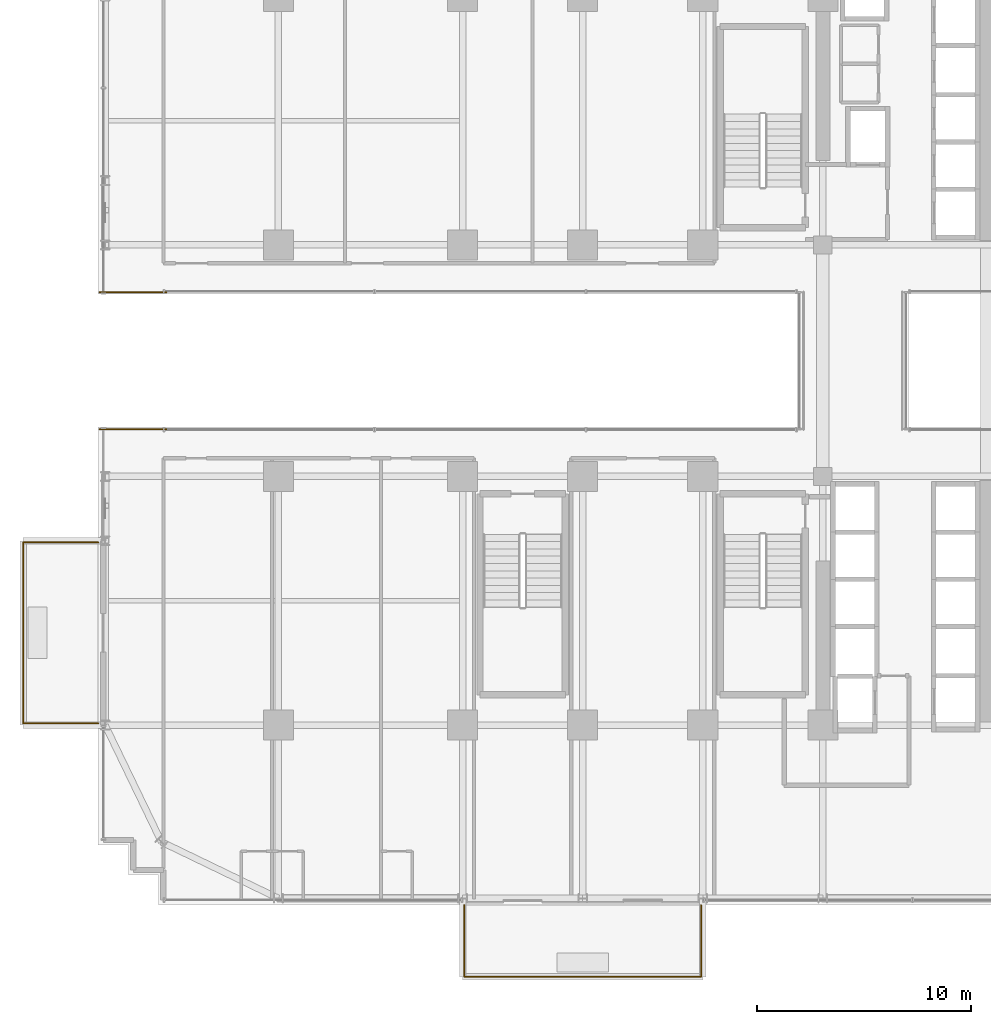
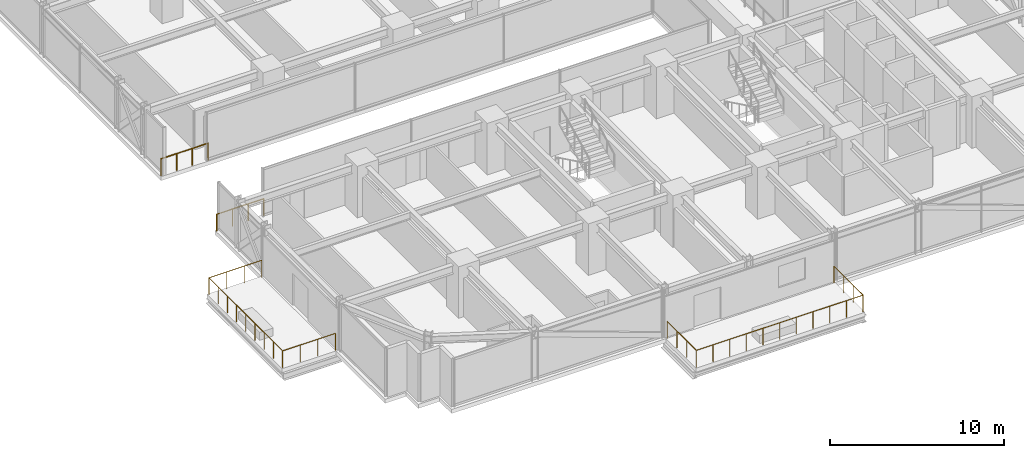
# One storey, part 35 of 38: 4 railings.
"""IFC4 building model written with IfcOpenShell, lengths in metres."""

from ifc_helpers import new_model, si_unit, direction, frame, origin, origin_2d, place, context, subcontext, project, spatial, circle, extrude, material, type_object, element, save


model = new_model("IFC4")

# Units and contexts
model_context = context("Model", 3, precision=1e-05, world=origin(), true_north=direction((0.0, 1.0)))
body_context = subcontext(model_context, "Body", "Model", "MODEL_VIEW")
ifc_project = project(units=[si_unit("LENGTHUNIT", "METRE"), si_unit("AREAUNIT", "SQUARE_METRE"), si_unit("VOLUMEUNIT", "CUBIC_METRE"), si_unit("PLANEANGLEUNIT", "RADIAN"), si_unit("MASSUNIT", "GRAM", prefix="KILO")], contexts=[model_context])

# Site, building, storey
site_placement = place(None, origin())
site = spatial("IfcSite", under=ifc_project, at=site_placement, CompositionType="ELEMENT")
building_placement = place(site_placement, origin())
building = spatial("IfcBuilding", under=site, at=building_placement, Name="Nahalor Promenade Grand Hotel", CompositionType="ELEMENT")
storey_placement = place(building_placement, frame((0.0, 0.0, 50.64990234375)))
storey = spatial("IfcBuildingStorey", under=building, at=storey_placement, Name="L11", CompositionType="ELEMENT", Elevation=50.64990234375)

# Railings
ifc_material = material(Name="Anodised Bronze Aluminium EN AW-6063 T6", Category="aluminium")
railing_type = type_object("IfcRailingType", Name="Bronze Balcony Guardrail 1200 mm", PredefinedType="GUARDRAIL", material=ifc_material)
for number, where, name in (
    (1, (-25.340087890625, -3.199951171875, 0.0), "L11 Oculus Void Edge Guardrail WS"),
    (2, (-25.340087890625, 3.199951171875, 0.0), "L11 Oculus Void Edge Guardrail WN"),
):
    element("IfcRailing", number, at=place(storey_placement, frame(where)), inside=storey, type_object=railing_type, Name=name, PredefinedType="GUARDRAIL", context=body_context, shape_type="SweptSolid", body=[
        extrude(circle(Radius=0.024048, at=origin_2d()), frame((0.0, 0.0, 1.17578125), z_axis=(1.0, 0.0, 0.0), x_axis=(0.0, 1.0, 0.0)), (0.0, 0.0, 1.0), 3.1201171875),
        extrude(circle(Radius=0.020996, at=origin_2d()), origin(), (0.0, 0.0, 1.0), 1.14990234375),
        extrude(circle(Radius=0.020996, at=origin_2d()), frame((1.0400390625, 0.0, 0.0)), (0.0, 0.0, 1.0), 1.14990234375),
        extrude(circle(Radius=0.020996, at=origin_2d()), frame((2.080078125, 0.0, 0.0)), (0.0, 0.0, 1.0), 1.14990234375),
        extrude(circle(Radius=0.020996, at=origin_2d()), frame((3.1201171875, 0.0, 0.0)), (0.0, 0.0, 1.0), 1.14990234375),
    ])
railing_1_placement = place(storey_placement, frame((-8.320068359375, -25.39990234375, 0.0)))
element("IfcRailing", 3, at=railing_1_placement, inside=storey, type_object=railing_type, Name="L11 Balcony Guardrail 1", PredefinedType="GUARDRAIL", context=body_context, shape_type="SweptSolid", body=[
    extrude(circle(Radius=0.024048, at=origin_2d()), frame((0.0, 0.0, 1.17578125), z_axis=(0.0, -1.0, 0.0), x_axis=(1.0, 0.0, 0.0)), (0.0, 0.0, 1.0), 3.338134765625),
    extrude(circle(Radius=0.024048, at=origin_2d()), frame((0.001953125, -3.340087890625, 1.17578125), z_axis=(1.0, 0.0, 0.0), x_axis=(0.0, 1.0, 0.0)), (0.0, 0.0, 1.0), 11.0361328125),
    extrude(circle(Radius=0.024048, at=origin_2d()), frame((11.0400390625, -3.338134765625, 1.17578125), z_axis=(0.0, 1.0, 0.0), x_axis=(-1.0, 0.0, 0.0)), (0.0, 0.0, 1.0), 3.338134765625),
    extrude(circle(Radius=0.020996, at=origin_2d()), origin(), (0.0, 0.0, 1.0), 1.14990234375),
    extrude(circle(Radius=0.020996, at=origin_2d()), frame((0.0, -1.11328125, 0.0)), (0.0, 0.0, 1.0), 1.14990234375),
    extrude(circle(Radius=0.020996, at=origin_2d()), frame((0.0, -2.226806640625, 0.0)), (0.0, 0.0, 1.0), 1.14990234375),
    extrude(circle(Radius=0.020996, at=origin_2d()), frame((0.0, -3.340087890625, 0.0)), (0.0, 0.0, 1.0), 1.14990234375),
    extrude(circle(Radius=0.020996, at=origin_2d()), frame((1.10400390625, -3.340087890625, 0.0)), (0.0, 0.0, 1.0), 1.14990234375),
    extrude(circle(Radius=0.020996, at=origin_2d()), frame((2.2080078125, -3.340087890625, 0.0)), (0.0, 0.0, 1.0), 1.14990234375),
    extrude(circle(Radius=0.020996, at=origin_2d()), frame((3.31201171875, -3.340087890625, 0.0)), (0.0, 0.0, 1.0), 1.14990234375),
    extrude(circle(Radius=0.020996, at=origin_2d()), frame((4.416015625, -3.340087890625, 0.0)), (0.0, 0.0, 1.0), 1.14990234375),
    extrude(circle(Radius=0.020996, at=origin_2d()), frame((5.52001953125, -3.340087890625, 0.0)), (0.0, 0.0, 1.0), 1.14990234375),
    extrude(circle(Radius=0.020996, at=origin_2d()), frame((6.6240234375, -3.340087890625, 0.0)), (0.0, 0.0, 1.0), 1.14990234375),
    extrude(circle(Radius=0.020996, at=origin_2d()), frame((7.72802734375, -3.340087890625, 0.0)), (0.0, 0.0, 1.0), 1.14990234375),
    extrude(circle(Radius=0.020996, at=origin_2d()), frame((8.83203125, -3.340087890625, 0.0)), (0.0, 0.0, 1.0), 1.14990234375),
    extrude(circle(Radius=0.020996, at=origin_2d()), frame((9.93603515625, -3.340087890625, 0.0)), (0.0, 0.0, 1.0), 1.14990234375),
    extrude(circle(Radius=0.020996, at=origin_2d()), frame((11.0400390625, -3.340087890625, 0.0)), (0.0, 0.0, 1.0), 1.14990234375),
    extrude(circle(Radius=0.020996, at=origin_2d()), frame((11.0400390625, -2.226806640625, 0.0)), (0.0, 0.0, 1.0), 1.14990234375),
    extrude(circle(Radius=0.020996, at=origin_2d()), frame((11.0400390625, -1.11328125, 0.0)), (0.0, 0.0, 1.0), 1.14990234375),
    extrude(circle(Radius=0.020996, at=origin_2d()), frame((11.0400390625, 0.0, 0.0)), (0.0, 0.0, 1.0), 1.14990234375),
])
railing_2_placement = place(storey_placement, frame((-25.39990234375, -16.919921875, 0.0)))
element("IfcRailing", 4, at=railing_2_placement, inside=storey, type_object=railing_type, Name="L11 Balcony Guardrail 2", PredefinedType="GUARDRAIL", context=body_context, shape_type="SweptSolid", body=[
    extrude(circle(Radius=0.024048, at=origin_2d()), frame((0.0, 0.0, 1.17578125), z_axis=(-1.0, 0.0, 0.0), x_axis=(0.0, -1.0, 0.0)), (0.0, 0.0, 1.0), 3.498046875),
    extrude(circle(Radius=0.024048, at=origin_2d()), frame((-3.5, 0.001953125, 1.17578125), z_axis=(0.0, 1.0, 0.0), x_axis=(-1.0, 0.0, 0.0)), (0.0, 0.0, 1.0), 8.43603515625),
    extrude(circle(Radius=0.024048, at=origin_2d()), frame((-3.498046875, 8.43994140625, 1.17578125), z_axis=(1.0, 0.0, 0.0), x_axis=(0.0, 1.0, 0.0)), (0.0, 0.0, 1.0), 3.498046875),
    extrude(circle(Radius=0.020996, at=origin_2d()), origin(), (0.0, 0.0, 1.0), 1.14990234375),
    extrude(circle(Radius=0.020996, at=origin_2d()), frame((-1.166748046875, 0.0, 0.0)), (0.0, 0.0, 1.0), 1.14990234375),
    extrude(circle(Radius=0.020996, at=origin_2d()), frame((-2.333251953125, 0.0, 0.0)), (0.0, 0.0, 1.0), 1.14990234375),
    extrude(circle(Radius=0.020996, at=origin_2d()), frame((-3.5, 0.0, 0.0)), (0.0, 0.0, 1.0), 1.14990234375),
    extrude(circle(Radius=0.020996, at=origin_2d()), frame((-3.5, 1.054931640625, 0.0)), (0.0, 0.0, 1.0), 1.14990234375),
    extrude(circle(Radius=0.020996, at=origin_2d()), frame((-3.5, 2.10986328125, 0.0)), (0.0, 0.0, 1.0), 1.14990234375),
    extrude(circle(Radius=0.020996, at=origin_2d()), frame((-3.5, 3.1650390625, 0.0)), (0.0, 0.0, 1.0), 1.14990234375),
    extrude(circle(Radius=0.020996, at=origin_2d()), frame((-3.5, 4.219970703125, 0.0)), (0.0, 0.0, 1.0), 1.14990234375),
    extrude(circle(Radius=0.020996, at=origin_2d()), frame((-3.5, 5.27490234375, 0.0)), (0.0, 0.0, 1.0), 1.14990234375),
    extrude(circle(Radius=0.020996, at=origin_2d()), frame((-3.5, 6.330078125, 0.0)), (0.0, 0.0, 1.0), 1.14990234375),
    extrude(circle(Radius=0.020996, at=origin_2d()), frame((-3.5, 7.385009765625, 0.0)), (0.0, 0.0, 1.0), 1.14990234375),
    extrude(circle(Radius=0.020996, at=origin_2d()), frame((-3.5, 8.43994140625, 0.0)), (0.0, 0.0, 1.0), 1.14990234375),
    extrude(circle(Radius=0.020996, at=origin_2d()), frame((-2.333251953125, 8.43994140625, 0.0)), (0.0, 0.0, 1.0), 1.14990234375),
    extrude(circle(Radius=0.020996, at=origin_2d()), frame((-1.166748046875, 8.43994140625, 0.0)), (0.0, 0.0, 1.0), 1.14990234375),
    extrude(circle(Radius=0.020996, at=origin_2d()), frame((0.0, 8.43994140625, 0.0)), (0.0, 0.0, 1.0), 1.14990234375),
])

save(model, "model.ifc")
